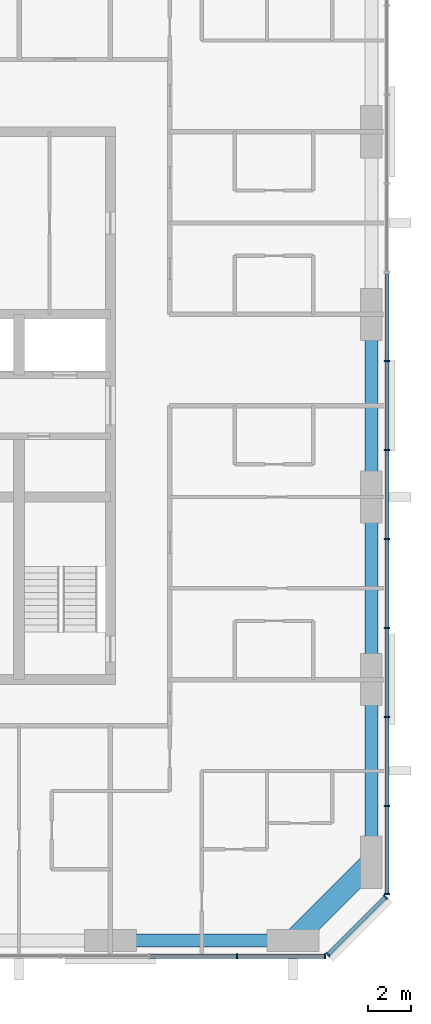
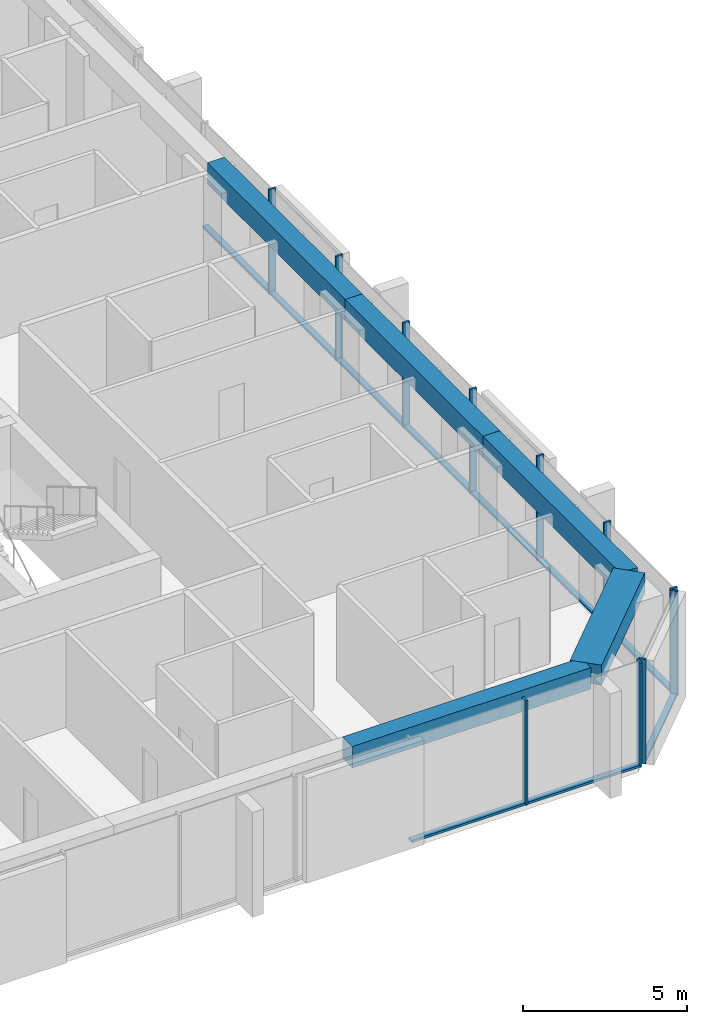
# One storey, part 3 of 12: 21 members, 5 beams, 3 elements without a shape of their own.
"""IFC4 building model written with IfcOpenShell, lengths in metres."""

from ifc_helpers import new_model, si_unit, direction, frame, origin, origin_2d, place, context, subcontext, project, spatial, rectangle, extrude, material, material_profile, profile_set, type_object, element, aggregate, save


model = new_model("IFC4")

# Units and contexts
model_context = context("Model", 3, precision=1e-05, world=origin(), true_north=direction((0.0, 1.0)))
body_context = subcontext(model_context, "Body", "Model", "MODEL_VIEW")
ifc_project = project(units=[si_unit("LENGTHUNIT", "METRE"), si_unit("AREAUNIT", "SQUARE_METRE"), si_unit("VOLUMEUNIT", "CUBIC_METRE"), si_unit("PLANEANGLEUNIT", "RADIAN"), si_unit("MASSUNIT", "GRAM", prefix="KILO")], contexts=[model_context])

# Site, building, storey
site_placement = place(None, origin())
site = spatial("IfcSite", under=ifc_project, at=site_placement, CompositionType="ELEMENT")
building_placement = place(site_placement, origin())
building = spatial("IfcBuilding", under=site, at=building_placement, Name="Dunama Terrace Hotel", CompositionType="ELEMENT")
storey_placement = place(building_placement, frame((0.0, 0.0, 260.699951171875)))
storey = spatial("IfcBuildingStorey", under=building, at=storey_placement, Name="L67", CompositionType="ELEMENT", Elevation=260.699951171875)

# Curtain wall, members
ifc_material_1 = material(Name="Aluminium curtain wall system", Category="aluminium")
curtain_wall_type = type_object("IfcCurtainWallType", Name="Unitised fritted glass wall CW-D", PredefinedType="NOTDEFINED", material=ifc_material_1)
curtain_wall_1_placement = place(storey_placement, origin())
curtain_wall_1 = element("IfcCurtainWall", 1, at=curtain_wall_1_placement, inside=storey, type_object=curtain_wall_type, Name="Unitised fritted glass wall CW-D L67", PredefinedType="NOTDEFINED")
ifc_material_2 = material(Name="Aluminium mullion", Category="aluminium")
ifc_material_profile_1 = material_profile(ifc_material_2, rectangle(XDim=0.070068359375, YDim=0.239990234375, at=origin_2d()), Name="CWD MULLION 70X240")
ifc_profile_set_1 = profile_set([ifc_material_profile_1], Name="Aluminium mullion")
member_type_1 = type_object("IfcMemberType", Name="CWD mullion 70x240", PredefinedType="MULLION", material=ifc_profile_set_1)
member_1_placement = place(storey_placement, frame((47.8330078125, 4.080078125, 0.0), z_axis=(0.0, 0.0, 1.0), x_axis=(1.0, 0.0, 0.0)))
member_1 = element("IfcMember", 2, at=member_1_placement, type_object=member_type_1, Name="CWD mullion", PredefinedType="MULLION", context=body_context, shape_type="SweptSolid", body=[
    extrude(rectangle(XDim=0.070068359375, YDim=0.239990234375, at=origin_2d()), origin(), (0.0, 0.0, 1.0), 3.900146484375),
])
member_2_placement = place(storey_placement, frame((51.864990234375, 4.080078125, 0.0), z_axis=(0.0, 0.0, 1.0), x_axis=(1.0, 0.0, 0.0)))
member_2 = element("IfcMember", 3, at=member_2_placement, type_object=member_type_1, Name="CWD mullion", PredefinedType="MULLION", context=body_context, shape_type="SweptSolid", body=[
    extrude(rectangle(XDim=0.070068359375, YDim=0.239990234375, at=origin_2d()), origin(), (0.0, 0.0, 1.0), 3.900146484375),
])

curtain_wall_2_placement = place(storey_placement, origin())
curtain_wall_2 = element("IfcCurtainWall", 4, at=curtain_wall_2_placement, inside=storey, type_object=curtain_wall_type, Name="Unitised fritted glass wall CW-D L67", PredefinedType="NOTDEFINED")
member_3_placement = place(storey_placement, frame((52.010009765625, 4.139892578125, 0.0), z_axis=(0.0, 0.0, 1.0), x_axis=(0.707106781187, 0.707106781187, 0.0)))
member_3 = element("IfcMember", 5, at=member_3_placement, type_object=member_type_1, Name="CWD mullion", PredefinedType="MULLION", context=body_context, shape_type="SweptSolid", body=[
    extrude(rectangle(XDim=0.070068359375, YDim=0.239990234375, at=origin_2d()), origin(), (0.0, 0.0, 1.0), 3.900146484375),
])
member_4_placement = place(storey_placement, frame((54.659912109375, 6.7900390625, 0.0), z_axis=(0.0, 0.0, 1.0), x_axis=(0.707106781187, 0.707106781187, 0.0)))
member_4 = element("IfcMember", 6, at=member_4_placement, type_object=member_type_1, Name="CWD mullion", PredefinedType="MULLION", context=body_context, shape_type="SweptSolid", body=[
    extrude(rectangle(XDim=0.070068359375, YDim=0.239990234375, at=origin_2d()), origin(), (0.0, 0.0, 1.0), 3.900146484375),
])

curtain_wall_3_placement = place(storey_placement, origin())
curtain_wall_3 = element("IfcCurtainWall", 7, at=curtain_wall_3_placement, inside=storey, type_object=curtain_wall_type, Name="Unitised fritted glass wall CW-D L67", PredefinedType="NOTDEFINED")
member_5_placement = place(storey_placement, frame((54.719970703125, 6.93505859375, 0.0), z_axis=(0.0, 0.0, 1.0), x_axis=(0.0, 1.0, 0.0)))
member_5 = element("IfcMember", 8, at=member_5_placement, type_object=member_type_1, Name="CWD mullion", PredefinedType="MULLION", context=body_context, shape_type="SweptSolid", body=[
    extrude(rectangle(XDim=0.070068359375, YDim=0.239990234375, at=origin_2d()), origin(), (0.0, 0.0, 1.0), 3.900146484375),
])
member_6_placement = place(storey_placement, frame((54.719970703125, 10.990966796875, 0.0), z_axis=(0.0, 0.0, 1.0), x_axis=(0.0, 1.0, 0.0)))
member_6 = element("IfcMember", 9, at=member_6_placement, type_object=member_type_1, Name="CWD mullion", PredefinedType="MULLION", context=body_context, shape_type="SweptSolid", body=[
    extrude(rectangle(XDim=0.070068359375, YDim=0.239990234375, at=origin_2d()), origin(), (0.0, 0.0, 1.0), 3.900146484375),
])
member_7_placement = place(storey_placement, frame((54.719970703125, 15.08203125, 0.0), z_axis=(0.0, 0.0, 1.0), x_axis=(0.0, 1.0, 0.0)))
member_7 = element("IfcMember", 10, at=member_7_placement, type_object=member_type_1, Name="CWD mullion", PredefinedType="MULLION", context=body_context, shape_type="SweptSolid", body=[
    extrude(rectangle(XDim=0.070068359375, YDim=0.239990234375, at=origin_2d()), origin(), (0.0, 0.0, 1.0), 3.900146484375),
])
member_8_placement = place(storey_placement, frame((54.719970703125, 19.173095703125, 0.0), z_axis=(0.0, 0.0, 1.0), x_axis=(0.0, 1.0, 0.0)))
member_8 = element("IfcMember", 11, at=member_8_placement, type_object=member_type_1, Name="CWD mullion", PredefinedType="MULLION", context=body_context, shape_type="SweptSolid", body=[
    extrude(rectangle(XDim=0.070068359375, YDim=0.239990234375, at=origin_2d()), origin(), (0.0, 0.0, 1.0), 3.900146484375),
])
member_9_placement = place(storey_placement, frame((54.719970703125, 23.263916015625, 0.0), z_axis=(0.0, 0.0, 1.0), x_axis=(0.0, 1.0, 0.0)))
member_9 = element("IfcMember", 12, at=member_9_placement, type_object=member_type_1, Name="CWD mullion", PredefinedType="MULLION", context=body_context, shape_type="SweptSolid", body=[
    extrude(rectangle(XDim=0.070068359375, YDim=0.239990234375, at=origin_2d()), origin(), (0.0, 0.0, 1.0), 3.900146484375),
])
member_10_placement = place(storey_placement, frame((54.719970703125, 27.35498046875, 0.0), z_axis=(0.0, 0.0, 1.0), x_axis=(0.0, 1.0, 0.0)))
member_10 = element("IfcMember", 13, at=member_10_placement, type_object=member_type_1, Name="CWD mullion", PredefinedType="MULLION", context=body_context, shape_type="SweptSolid", body=[
    extrude(rectangle(XDim=0.070068359375, YDim=0.239990234375, at=origin_2d()), origin(), (0.0, 0.0, 1.0), 3.900146484375),
])
member_11_placement = place(storey_placement, frame((54.719970703125, 31.445068359375, 0.0), z_axis=(0.0, 0.0, 1.0), x_axis=(0.0, 1.0, 0.0)))
member_11 = element("IfcMember", 14, at=member_11_placement, type_object=member_type_1, Name="CWD mullion", PredefinedType="MULLION", context=body_context, shape_type="SweptSolid", body=[
    extrude(rectangle(XDim=0.070068359375, YDim=0.239990234375, at=origin_2d()), origin(), (0.0, 0.0, 1.0), 3.900146484375),
])

# Member
ifc_material_3 = material(Name="Aluminium transom", Category="aluminium")
ifc_material_profile_2 = material_profile(ifc_material_3, rectangle(XDim=0.199951171875, YDim=0.0849609375, at=origin_2d()), Name="CWD TRANSOM 200X85")
ifc_profile_set_2 = profile_set([ifc_material_profile_2], Name="Aluminium transom")
member_type_2 = type_object("IfcMemberType", Name="CWD transom 200x85", PredefinedType="USERDEFINED", material=ifc_profile_set_2)
member_12_placement = place(storey_placement, frame((43.802001953125, 4.080078125, 0.04248046875), z_axis=(1.0, 0.0, 0.0), x_axis=(0.0, 1.0, 0.0)))
member_12 = element("IfcMember", 15, at=member_12_placement, type_object=member_type_2, Name="CWD transom", ObjectType="TRANSOM", PredefinedType="USERDEFINED", context=body_context, shape_type="SweptSolid", body=[
    extrude(rectangle(XDim=0.199951171875, YDim=0.0849609375, at=origin_2d()), origin(), (0.0, 0.0, 1.0), 3.99609375),
])

member_13_placement = place(storey_placement, frame((47.867919921875, 4.080078125, 0.04248046875), z_axis=(1.0, 0.0, 0.0), x_axis=(0.0, 1.0, 0.0)))
member_13 = element("IfcMember", 16, at=member_13_placement, type_object=member_type_2, Name="CWD transom", ObjectType="TRANSOM", PredefinedType="USERDEFINED", context=body_context, shape_type="SweptSolid", body=[
    extrude(rectangle(XDim=0.199951171875, YDim=0.0849609375, at=origin_2d()), origin(), (0.0, 0.0, 1.0), 3.962158203125),
])

aggregate(curtain_wall_1, [member_1, member_2, member_12, member_13])

member_14_placement = place(storey_placement, frame((52.033935546875, 4.1650390625, 0.04248046875), z_axis=(0.707106781187, 0.707106781187, 0.0), x_axis=(-0.707106781187, 0.707106781187, 0.0)))
member_14 = element("IfcMember", 17, at=member_14_placement, type_object=member_type_2, Name="CWD transom", ObjectType="TRANSOM", PredefinedType="USERDEFINED", context=body_context, shape_type="SweptSolid", body=[
    extrude(rectangle(XDim=0.199951171875, YDim=0.0849609375, at=origin_2d()), origin(), (0.0, 0.0, 1.0), 3.678466796875),
])

aggregate(curtain_wall_2, [member_3, member_4, member_14])

member_15_placement = place(storey_placement, frame((54.719970703125, 6.969970703125, 0.04248046875), z_axis=(0.0, 1.0, 0.0), x_axis=(-1.0, 0.0, 0.0)))
member_15 = element("IfcMember", 18, at=member_15_placement, type_object=member_type_2, Name="CWD transom", ObjectType="TRANSOM", PredefinedType="USERDEFINED", context=body_context, shape_type="SweptSolid", body=[
    extrude(rectangle(XDim=0.199951171875, YDim=0.0849609375, at=origin_2d()), origin(), (0.0, 0.0, 1.0), 3.986083984375),
])

member_16_placement = place(storey_placement, frame((54.719970703125, 11.02587890625, 0.04248046875), z_axis=(0.0, 1.0, 0.0), x_axis=(-1.0, 0.0, 0.0)))
member_16 = element("IfcMember", 19, at=member_16_placement, type_object=member_type_2, Name="CWD transom", ObjectType="TRANSOM", PredefinedType="USERDEFINED", context=body_context, shape_type="SweptSolid", body=[
    extrude(rectangle(XDim=0.199951171875, YDim=0.0849609375, at=origin_2d()), origin(), (0.0, 0.0, 1.0), 4.021240234375),
])

member_17_placement = place(storey_placement, frame((54.719970703125, 15.116943359375, 0.04248046875), z_axis=(0.0, 1.0, 0.0), x_axis=(-1.0, 0.0, 0.0)))
member_17 = element("IfcMember", 20, at=member_17_placement, type_object=member_type_2, Name="CWD transom", ObjectType="TRANSOM", PredefinedType="USERDEFINED", context=body_context, shape_type="SweptSolid", body=[
    extrude(rectangle(XDim=0.199951171875, YDim=0.0849609375, at=origin_2d()), origin(), (0.0, 0.0, 1.0), 4.02099609375),
])

member_18_placement = place(storey_placement, frame((54.719970703125, 19.2080078125, 0.04248046875), z_axis=(0.0, 1.0, 0.0), x_axis=(-1.0, 0.0, 0.0)))
member_18 = element("IfcMember", 21, at=member_18_placement, type_object=member_type_2, Name="CWD transom", ObjectType="TRANSOM", PredefinedType="USERDEFINED", context=body_context, shape_type="SweptSolid", body=[
    extrude(rectangle(XDim=0.199951171875, YDim=0.0849609375, at=origin_2d()), origin(), (0.0, 0.0, 1.0), 4.02099609375),
])

member_19_placement = place(storey_placement, frame((54.719970703125, 23.299072265625, 0.04248046875), z_axis=(0.0, 1.0, 0.0), x_axis=(-1.0, 0.0, 0.0)))
member_19 = element("IfcMember", 22, at=member_19_placement, type_object=member_type_2, Name="CWD transom", ObjectType="TRANSOM", PredefinedType="USERDEFINED", context=body_context, shape_type="SweptSolid", body=[
    extrude(rectangle(XDim=0.199951171875, YDim=0.0849609375, at=origin_2d()), origin(), (0.0, 0.0, 1.0), 4.02099609375),
])

member_20_placement = place(storey_placement, frame((54.719970703125, 27.389892578125, 0.04248046875), z_axis=(0.0, 1.0, 0.0), x_axis=(-1.0, 0.0, 0.0)))
member_20 = element("IfcMember", 23, at=member_20_placement, type_object=member_type_2, Name="CWD transom", ObjectType="TRANSOM", PredefinedType="USERDEFINED", context=body_context, shape_type="SweptSolid", body=[
    extrude(rectangle(XDim=0.199951171875, YDim=0.0849609375, at=origin_2d()), origin(), (0.0, 0.0, 1.0), 4.02001953125),
])

member_21_placement = place(storey_placement, frame((54.719970703125, 31.47998046875, 0.04248046875), z_axis=(0.0, 1.0, 0.0), x_axis=(-1.0, 0.0, 0.0)))
member_21 = element("IfcMember", 24, at=member_21_placement, type_object=member_type_2, Name="CWD transom", ObjectType="TRANSOM", PredefinedType="USERDEFINED", context=body_context, shape_type="SweptSolid", body=[
    extrude(rectangle(XDim=0.199951171875, YDim=0.0849609375, at=origin_2d()), origin(), (0.0, 0.0, 1.0), 4.02099609375),
])

aggregate(curtain_wall_3, [member_5, member_6, member_7, member_8, member_9, member_10, member_11, member_15, member_16, member_17, member_18, member_19, member_20, member_21])

# Beams
ifc_material_4 = material(Name="Concrete C50/60", Category="concrete")
ifc_material_profile_3 = material_profile(ifc_material_4, rectangle(XDim=1.0, YDim=0.75, at=origin_2d()), Name="RC 1000x750")
ifc_profile_set_3 = profile_set([ifc_material_profile_3], Name="Concrete C50/60")
beam_type_1 = type_object("IfcBeamType", Name="Edge beam RC 1000x750", PredefinedType="SPANDREL", material=ifc_profile_set_3)
beam_1_placement = place(storey_placement, frame((50.39990234375, 4.800048828125, 3.525146484375), z_axis=(0.707130757816, 0.707082803744, 0.0), x_axis=(-0.707082803744, 0.707130757816, 0.0)))
element("IfcBeam", 25, at=beam_1_placement, inside=storey, type_object=beam_type_1, Name="Corner edge beam under L68", PredefinedType="SPANDREL", context=body_context, shape_type="SweptSolid", body=[
    extrude(rectangle(XDim=1.0, YDim=0.75, at=origin_2d()), origin(), (0.0, 0.0, 1.0), 5.091064453125),
])
ifc_material_5 = material(Name="Concrete C40/50", Category="concrete")
ifc_material_profile_4 = material_profile(ifc_material_5, rectangle(XDim=0.60009765625, YDim=0.800048828125, at=origin_2d()), Name="RC 600x800")
ifc_profile_set_4 = profile_set([ifc_material_profile_4], Name="Concrete C40/50")
beam_type_2 = type_object("IfcBeamType", Name="Edge beam RC 600x800", PredefinedType="SPANDREL", material=ifc_profile_set_4)
beam_2_placement = place(storey_placement, frame((54.0, 8.39990234375, 3.5), z_axis=(0.0, 1.0, 0.0), x_axis=(-1.0, 0.0, 0.0)))
element("IfcBeam", 26, at=beam_2_placement, inside=storey, type_object=beam_type_2, Name="Edge beam under L68", PredefinedType="SPANDREL", context=body_context, shape_type="SweptSolid", body=[
    extrude(rectangle(XDim=0.60009765625, YDim=0.800048828125, at=origin_2d()), origin(), (0.0, 0.0, 1.0), 8.400146484375),
])
beam_3_placement = place(storey_placement, frame((54.0, 16.800048828125, 3.5), z_axis=(0.0, 1.0, 0.0), x_axis=(-1.0, 0.0, 0.0)))
element("IfcBeam", 27, at=beam_3_placement, inside=storey, type_object=beam_type_2, Name="Edge beam under L68", PredefinedType="SPANDREL", context=body_context, shape_type="SweptSolid", body=[
    extrude(rectangle(XDim=0.60009765625, YDim=0.800048828125, at=origin_2d()), origin(), (0.0, 0.0, 1.0), 8.39990234375),
])
beam_4_placement = place(storey_placement, frame((54.0, 25.199951171875, 3.5), z_axis=(0.0, 1.0, 0.0), x_axis=(-1.0, 0.0, 0.0)))
element("IfcBeam", 28, at=beam_4_placement, inside=storey, type_object=beam_type_2, Name="Edge beam under L68", PredefinedType="SPANDREL", context=body_context, shape_type="SweptSolid", body=[
    extrude(rectangle(XDim=0.60009765625, YDim=0.800048828125, at=origin_2d()), origin(), (0.0, 0.0, 1.0), 8.400146484375),
])
beam_5_placement = place(storey_placement, frame((42.0, 4.800048828125, 3.5), z_axis=(1.0, 0.0, 0.0), x_axis=(0.0, 1.0, 0.0)))
element("IfcBeam", 29, at=beam_5_placement, inside=storey, type_object=beam_type_2, Name="Edge beam under L68", PredefinedType="SPANDREL", context=body_context, shape_type="SweptSolid", body=[
    extrude(rectangle(XDim=0.60009765625, YDim=0.800048828125, at=origin_2d()), origin(), (0.0, 0.0, 1.0), 8.39990234375),
])

save(model, "model.ifc")
